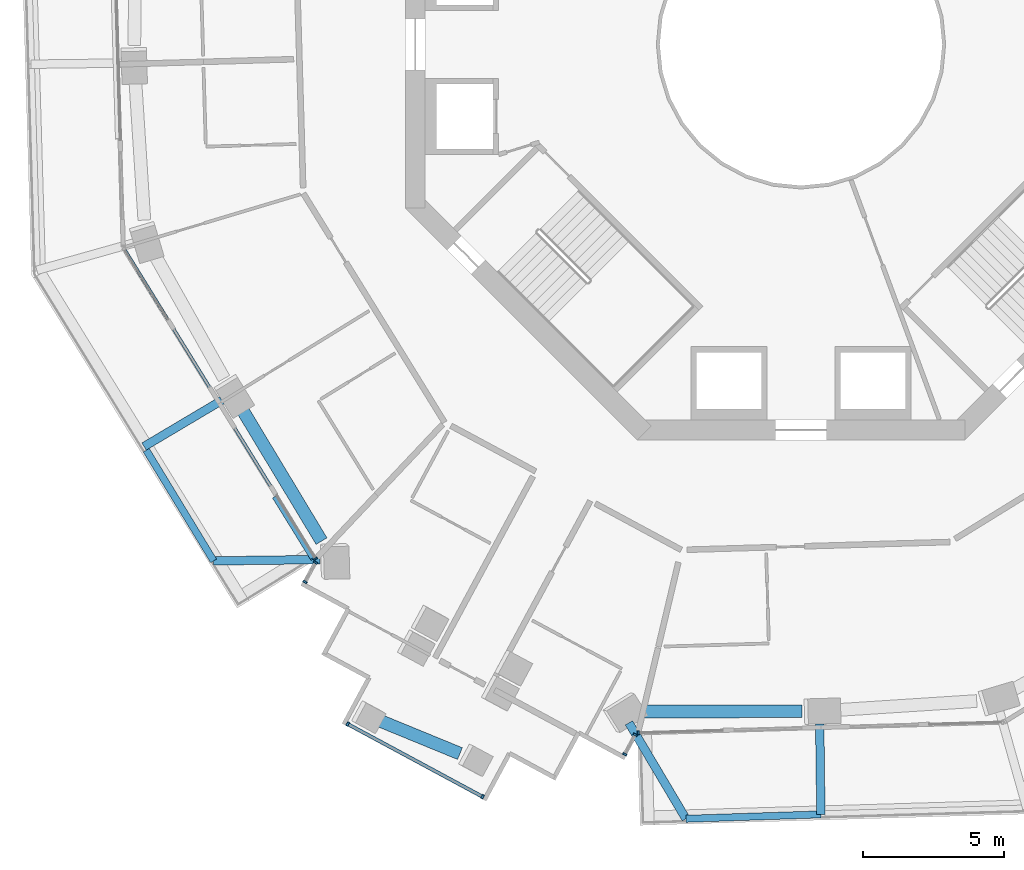
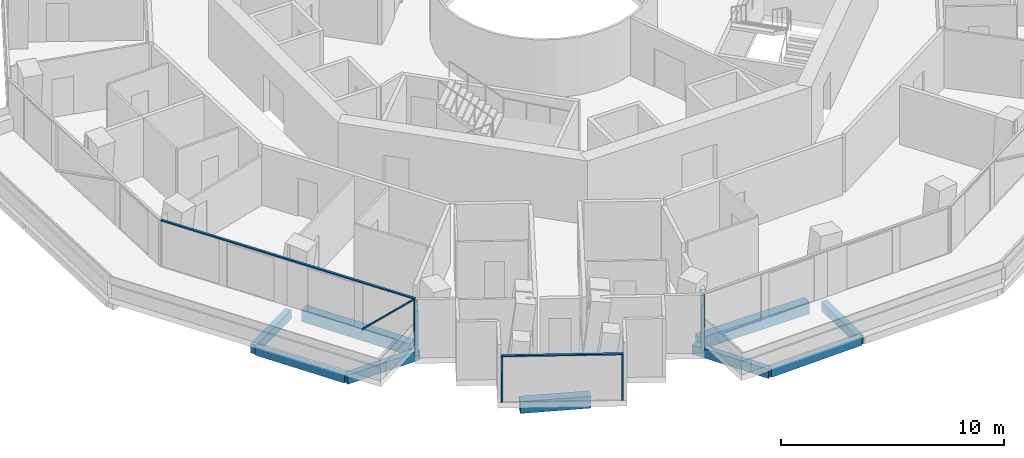
# One storey, part 2 of 22: 11 members, 9 beams, 5 elements without a shape of their own.
"""IFC4 building model written with IfcOpenShell, lengths in metres."""

from ifc_helpers import new_model, si_unit, direction, frame, origin, origin_2d, place, context, subcontext, project, spatial, rectangle, extrude, material, layer, layer_set, material_profile, profile_set, type_object, element, aggregate, save


model = new_model("IFC4")

# Units and contexts
model_context = context("Model", 3, precision=1e-05, world=origin(), true_north=direction((0.0, 1.0)))
body_context = subcontext(model_context, "Body", "Model", "MODEL_VIEW")
ifc_project = project(units=[si_unit("LENGTHUNIT", "METRE"), si_unit("AREAUNIT", "SQUARE_METRE"), si_unit("VOLUMEUNIT", "CUBIC_METRE"), si_unit("PLANEANGLEUNIT", "RADIAN"), si_unit("MASSUNIT", "GRAM", prefix="KILO")], contexts=[model_context])

# Site, building, storey
site_placement = place(None, origin())
site = spatial("IfcSite", under=ifc_project, at=site_placement, CompositionType="ELEMENT")
building_placement = place(site_placement, origin())
building = spatial("IfcBuilding", under=site, at=building_placement, Name="Verdalira Terraces Hotel", CompositionType="ELEMENT")
storey_placement = place(building_placement, frame((0.0, 0.0, 162.0)))
storey = spatial("IfcBuildingStorey", under=building, at=storey_placement, Name="L39", CompositionType="ELEMENT", Elevation=162.0)

# Beams
ifc_material_1 = material(Name="Concrete C40", Category="concrete")
ifc_material_profile_1 = material_profile(ifc_material_1, rectangle(XDim=0.300049, YDim=0.5, at=origin_2d()), Name="RC 300X500")
ifc_profile_set_1 = profile_set([ifc_material_profile_1], Name="Concrete C40")
beam_type_1 = type_object("IfcBeamType", Name="Balcony cantilever beam RC 300X500 C40", PredefinedType="BEAM", material=ifc_profile_set_1)
beam_1_placement = place(storey_placement, frame((-20.495605, -12.598389, -0.560059), z_axis=(-0.859692513, -0.510811886, 0.0), x_axis=(0.510811886, -0.859692513, 0.0)))
element("IfcBeam", 1, at=beam_1_placement, inside=storey, type_object=beam_type_1, Name="Balcony cantilever beam R12-1", PredefinedType="BEAM", context=body_context, shape_type="SweptSolid", body=[
    extrude(rectangle(XDim=0.300049, YDim=0.5, at=origin_2d()), origin(), (0.0, 0.0, 1.0), 3.200928),
])
beam_2_placement = place(storey_placement, frame((-17.014404, -18.231934, -0.560059), z_axis=(-0.999921073, -0.012563775, 0.0), x_axis=(0.012563775, -0.999921073, 0.0)))
element("IfcBeam", 2, at=beam_2_placement, inside=storey, type_object=beam_type_1, Name="Balcony cantilever beam R12-2", PredefinedType="BEAM", context=body_context, shape_type="SweptSolid", body=[
    extrude(rectangle(XDim=0.300049, YDim=0.5, at=origin_2d()), origin(), (0.0, 0.0, 1.0), 3.769775),
])
beam_3_placement = place(storey_placement, frame((-6.088379, -24.01001, -0.560059), z_axis=(0.510864328, -0.859661351, 0.0), x_axis=(0.859661351, 0.510864328, 0.0)))
element("IfcBeam", 3, at=beam_3_placement, inside=storey, type_object=beam_type_1, Name="Balcony cantilever beam R25-1", PredefinedType="BEAM", context=body_context, shape_type="SweptSolid", body=[
    extrude(rectangle(XDim=0.300049, YDim=0.5, at=origin_2d()), origin(), (0.0, 0.0, 1.0), 3.949707),
])
beam_4_placement = place(storey_placement, frame((0.662842, -24.048828, -0.560059), z_axis=(0.012508556, -0.999921765, 0.0), x_axis=(0.999921765, 0.012508556, 0.0)))
element("IfcBeam", 4, at=beam_4_placement, inside=storey, type_object=beam_type_1, Name="Balcony cantilever beam R25-2", PredefinedType="BEAM", context=body_context, shape_type="SweptSolid", body=[
    extrude(rectangle(XDim=0.300049, YDim=0.5, at=origin_2d()), origin(), (0.0, 0.0, 1.0), 3.200928),
])
ifc_material_2 = material(Name="Concrete C40", Category="concrete")
ifc_material_profile_2 = material_profile(ifc_material_2, rectangle(XDim=0.25, YDim=0.449951, at=origin_2d()), Name="RC 250X450")
ifc_profile_set_2 = profile_set([ifc_material_profile_2], Name="Concrete C40")
beam_type_2 = type_object("IfcBeamType", Name="Balcony edge beam RC 250X450 C40", PredefinedType="BEAM", material=ifc_profile_set_2)
beam_5_placement = place(storey_placement, frame((-23.169189, -14.361816, -0.534912), z_axis=(0.520058395, -0.854130707, 0.0), x_axis=(0.854130707, 0.520058395, 0.0)))
element("IfcBeam", 5, at=beam_5_placement, inside=storey, type_object=beam_type_2, Name="Balcony edge beam R12-1", PredefinedType="BEAM", context=body_context, shape_type="SweptSolid", body=[
    extrude(rectangle(XDim=0.25, YDim=0.449951, at=origin_2d()), origin(), (0.0, 0.0, 1.0), 4.586426),
])
beam_6_placement = place(storey_placement, frame((-4.070557, -27.405518, -0.534912), z_axis=(0.999466368, 0.032664638, 0.0), x_axis=(-0.032664638, 0.999466368, 0.0)))
element("IfcBeam", 6, at=beam_6_placement, inside=storey, type_object=beam_type_2, Name="Balcony edge beam R25-1", PredefinedType="BEAM", context=body_context, shape_type="SweptSolid", body=[
    extrude(rectangle(XDim=0.25, YDim=0.449951, at=origin_2d()), origin(), (0.0, 0.0, 1.0), 4.775879),
])

# Curtain wall, member
ifc_material_3 = material(Name="Clear glass", Category="glass")
ifc_layer_1 = layer(ifc_material_3, 0.14990234375)
ifc_layer_set_1 = layer_set([ifc_layer_1], Name="CW1 curtain wall")
curtain_wall_type_1 = type_object("IfcCurtainWallType", Name="CW1 curtain wall", PredefinedType="NOTDEFINED", material=ifc_layer_set_1)
curtain_wall_1_placement = place(storey_placement, origin())
curtain_wall_1 = element("IfcCurtainWall", 7, at=curtain_wall_1_placement, inside=storey, type_object=curtain_wall_type_1, Name="CW1 curtain wall L39 edge 13", PredefinedType="NOTDEFINED")
ifc_material_4 = material(Name="Terracotta frame", Category="masonry")
ifc_material_profile_3 = material_profile(ifc_material_4, rectangle(XDim=0.060059, YDim=0.149902, at=origin_2d()), Name="MU 60x150")
ifc_profile_set_3 = profile_set([ifc_material_profile_3], Name="Terracotta frame")
member_type_1 = type_object("IfcMemberType", Name="CW1 mullion 60x150", PredefinedType="MULLION", material=ifc_profile_set_3)
member_1_placement = place(storey_placement, frame((-17.181885, -18.206299, 0.0), z_axis=(0.0, 0.0, 1.0), x_axis=(0.52517463, -0.850994482, 0.0)))
member_1 = element("IfcMember", 8, at=member_1_placement, type_object=member_type_1, Name="CW1 mullion", PredefinedType="MULLION", context=body_context, shape_type="SweptSolid", body=[
    extrude(rectangle(XDim=0.060059, YDim=0.149902, at=origin_2d()), origin(), (0.0, 0.0, 1.0), 2.475098),
])

curtain_wall_2_placement = place(storey_placement, origin())
curtain_wall_2 = element("IfcCurtainWall", 9, at=curtain_wall_2_placement, inside=storey, type_object=curtain_wall_type_1, Name="CW1 curtain wall L39 edge 25", PredefinedType="NOTDEFINED")
member_2_placement = place(storey_placement, frame((-5.758301, -24.362549, 0.0), z_axis=(0.0, 0.0, 1.0), x_axis=(0.999570155, 0.02931733, 0.0)))
member_2 = element("IfcMember", 10, at=member_2_placement, type_object=member_type_1, Name="CW1 mullion", PredefinedType="MULLION", context=body_context, shape_type="SweptSolid", body=[
    extrude(rectangle(XDim=0.060059, YDim=0.149902, at=origin_2d()), origin(), (0.0, 0.0, 1.0), 2.475098),
])
aggregate(curtain_wall_2, [member_2])

# Member
ifc_material_5 = material(Name="Terracotta frame", Category="masonry")
ifc_material_profile_4 = material_profile(ifc_material_5, rectangle(XDim=0.110107, YDim=0.064941, at=origin_2d()), Name="TR 65x110")
ifc_profile_set_4 = profile_set([ifc_material_profile_4], Name="Terracotta frame")
member_type_2 = type_object("IfcMemberType", Name="CW1 transom 65x110", PredefinedType="USERDEFINED", material=ifc_profile_set_4)
member_3_placement = place(storey_placement, frame((-23.972412, -7.203125, 2.507568), z_axis=(0.52517119, -0.850996605, 0.0), x_axis=(0.850996605, 0.52517119, 0.0)))
member_3 = element("IfcMember", 11, at=member_3_placement, type_object=member_type_2, Name="CW1 transom", ObjectType="TRANSOM", PredefinedType="USERDEFINED", context=body_context, shape_type="SweptSolid", body=[
    extrude(rectangle(XDim=0.110107, YDim=0.064941, at=origin_2d()), origin(), (0.0, 0.0, 1.0), 12.959961),
])

# Curtain wall, members
ifc_material_6 = material(Name="Clear glass", Category="glass")
ifc_layer_2 = layer(ifc_material_6, 0.14990234375)
ifc_layer_set_2 = layer_set([ifc_layer_2], Name="CW2 curtain wall")
curtain_wall_type_2 = type_object("IfcCurtainWallType", Name="CW2 curtain wall", PredefinedType="NOTDEFINED", material=ifc_layer_set_2)
curtain_wall_3_placement = place(storey_placement, origin())
curtain_wall_3 = element("IfcCurtainWall", 12, at=curtain_wall_3_placement, inside=storey, type_object=curtain_wall_type_2, Name="CW2 curtain wall L39 edge 14", PredefinedType="NOTDEFINED")
ifc_material_7 = material(Name="Terracotta frame", Category="masonry")
ifc_material_profile_5 = material_profile(ifc_material_7, rectangle(XDim=0.070068, YDim=0.149902, at=origin_2d()), Name="MU 70x150")
ifc_profile_set_5 = profile_set([ifc_material_profile_5], Name="Terracotta frame")
member_type_3 = type_object("IfcMemberType", Name="CW2 mullion 70x150", PredefinedType="MULLION", material=ifc_profile_set_5)
member_4_placement = place(storey_placement, frame((-17.180664, -18.337646, 0.0), z_axis=(0.0, 0.0, 1.0), x_axis=(-0.474395525, -0.880311812, 0.0)))
member_4 = element("IfcMember", 13, at=member_4_placement, type_object=member_type_3, Name="CW2 mullion", PredefinedType="MULLION", context=body_context, shape_type="SweptSolid", body=[
    extrude(rectangle(XDim=0.070068, YDim=0.149902, at=origin_2d()), origin(), (0.0, 0.0, 1.0), 2.475098),
])
member_5_placement = place(storey_placement, frame((-17.550781, -19.024414, 0.0), z_axis=(0.0, 0.0, 1.0), x_axis=(-0.474395525, -0.880311812, 0.0)))
member_5 = element("IfcMember", 14, at=member_5_placement, type_object=member_type_3, Name="CW2 mullion", PredefinedType="MULLION", context=body_context, shape_type="SweptSolid", body=[
    extrude(rectangle(XDim=0.070068, YDim=0.149902, at=origin_2d()), origin(), (0.0, 0.0, 1.0), 2.475098),
])
aggregate(curtain_wall_3, [member_4, member_5])

curtain_wall_4_placement = place(storey_placement, origin())
curtain_wall_4 = element("IfcCurtainWall", 15, at=curtain_wall_4_placement, inside=storey, type_object=curtain_wall_type_2, Name="CW2 curtain wall L39 edge 24", PredefinedType="NOTDEFINED")
member_6_placement = place(storey_placement, frame((-6.23877, -25.120361, 0.0), z_axis=(0.0, 0.0, 1.0), x_axis=(0.474395525, 0.880311812, 0.0)))
member_6 = element("IfcMember", 16, at=member_6_placement, type_object=member_type_3, Name="CW2 mullion", PredefinedType="MULLION", context=body_context, shape_type="SweptSolid", body=[
    extrude(rectangle(XDim=0.070068, YDim=0.149902, at=origin_2d()), origin(), (0.0, 0.0, 1.0), 2.475098),
])
member_7_placement = place(storey_placement, frame((-5.868652, -24.433594, 0.0), z_axis=(0.0, 0.0, 1.0), x_axis=(0.474395525, 0.880311812, 0.0)))
member_7 = element("IfcMember", 17, at=member_7_placement, type_object=member_type_3, Name="CW2 mullion", PredefinedType="MULLION", context=body_context, shape_type="SweptSolid", body=[
    extrude(rectangle(XDim=0.070068, YDim=0.149902, at=origin_2d()), origin(), (0.0, 0.0, 1.0), 2.475098),
])
aggregate(curtain_wall_4, [member_6, member_7])

ifc_material_8 = material(Name="Clear glass", Category="glass")
ifc_layer_3 = layer(ifc_material_8, 0.14990234375)
ifc_layer_set_3 = layer_set([ifc_layer_3], Name="CW3 curtain wall")
curtain_wall_type_3 = type_object("IfcCurtainWallType", Name="CW3 curtain wall", PredefinedType="NOTDEFINED", material=ifc_layer_set_3)
curtain_wall_5_placement = place(storey_placement, origin())
curtain_wall_5 = element("IfcCurtainWall", 18, at=curtain_wall_5_placement, inside=storey, type_object=curtain_wall_type_3, Name="CW3 curtain wall L39 edge 19", PredefinedType="NOTDEFINED")
ifc_material_9 = material(Name="Terracotta frame", Category="masonry")
ifc_material_profile_6 = material_profile(ifc_material_9, rectangle(XDim=0.080078, YDim=0.149902, at=origin_2d()), Name="MU 80x150")
ifc_profile_set_6 = profile_set([ifc_material_profile_6], Name="Terracotta frame")
member_type_4 = type_object("IfcMemberType", Name="CW3 mullion 80x150", PredefinedType="MULLION", material=ifc_profile_set_6)
member_8_placement = place(storey_placement, frame((-16.040283, -24.052734, 0.0), z_axis=(0.0, 0.0, 1.0), x_axis=(0.880311812, -0.474395525, 0.0)))
member_8 = element("IfcMember", 19, at=member_8_placement, type_object=member_type_4, Name="CW3 mullion", PredefinedType="MULLION", context=body_context, shape_type="SweptSolid", body=[
    extrude(rectangle(XDim=0.080078, YDim=0.149902, at=origin_2d()), origin(), (0.0, 0.0, 1.0), 2.475098),
])
member_9_placement = place(storey_placement, frame((-11.269043, -26.624023, 0.0), z_axis=(0.0, 0.0, 1.0), x_axis=(0.880311812, -0.474395525, 0.0)))
member_9 = element("IfcMember", 20, at=member_9_placement, type_object=member_type_4, Name="CW3 mullion", PredefinedType="MULLION", context=body_context, shape_type="SweptSolid", body=[
    extrude(rectangle(XDim=0.080078, YDim=0.149902, at=origin_2d()), origin(), (0.0, 0.0, 1.0), 2.475098),
])
ifc_material_10 = material(Name="Terracotta frame", Category="masonry")
ifc_material_profile_7 = material_profile(ifc_material_10, rectangle(XDim=0.120117, YDim=0.064941, at=origin_2d()), Name="TR 65x120")
ifc_profile_set_7 = profile_set([ifc_material_profile_7], Name="Terracotta frame")
member_type_5 = type_object("IfcMemberType", Name="CW3 transom 65x120", PredefinedType="USERDEFINED", material=ifc_profile_set_7)
member_10_placement = place(storey_placement, frame((-16.075439, -24.033691, 2.507568), z_axis=(0.880308554, -0.474401569, 0.0), x_axis=(0.474401569, 0.880308554, 0.0)))
member_10 = element("IfcMember", 21, at=member_10_placement, type_object=member_type_5, Name="CW3 transom", ObjectType="TRANSOM", PredefinedType="USERDEFINED", context=body_context, shape_type="SweptSolid", body=[
    extrude(rectangle(XDim=0.120117, YDim=0.064941, at=origin_2d()), origin(), (0.0, 0.0, 1.0), 5.499756),
])
aggregate(curtain_wall_5, [member_8, member_9, member_10])

# Member
ifc_material_11 = material(Name="Terracotta frame", Category="masonry")
ifc_material_profile_8 = material_profile(ifc_material_11, rectangle(XDim=0.149902, YDim=0.060059, at=origin_2d()), Name="GB 60x150")
ifc_profile_set_8 = profile_set([ifc_material_profile_8], Name="Terracotta frame")
member_type_6 = type_object("IfcMemberType", Name="Diagonal glazing bar 60x150", PredefinedType="USERDEFINED", material=ifc_profile_set_8)
member_11_placement = place(storey_placement, frame((-18.628418, -16.031982, 0.023193), z_axis=(0.380661714, -0.616870028, 0.688888981), x_axis=(0.851011486, 0.525147075, 0.0)))
member_11 = element("IfcMember", 22, at=member_11_placement, type_object=member_type_6, Name="Diagonal glazing bar", ObjectType="GLAZING BAR", PredefinedType="USERDEFINED", context=body_context, shape_type="SweptSolid", body=[
    extrude(rectangle(XDim=0.149902, YDim=0.060059, at=origin_2d()), origin(), (0.0, 0.0, 1.0), 3.525635),
])

aggregate(curtain_wall_1, [member_1, member_3, member_11])

# Beams
ifc_material_12 = material(Name="Concrete C50", Category="concrete")
ifc_material_profile_9 = material_profile(ifc_material_12, rectangle(XDim=0.449951, YDim=0.649902, at=origin_2d()), Name="RC 450X650")
ifc_profile_set_9 = profile_set([ifc_material_profile_9], Name="Concrete C50")
beam_type_3 = type_object("IfcBeamType", Name="Spandrel beam RC 450X650 C50", PredefinedType="SPANDREL", material=ifc_profile_set_9)
beam_7_placement = place(storey_placement, frame((-19.829346, -12.832031, -0.63501), z_axis=(0.516339939, -0.856383715, 0.0), x_axis=(0.856383715, 0.516339939, 0.0)))
element("IfcBeam", 23, at=beam_7_placement, inside=storey, type_object=beam_type_3, Name="Spandrel beam B07", PredefinedType="SPANDREL", context=body_context, shape_type="SweptSolid", body=[
    extrude(rectangle(XDim=0.449951, YDim=0.649902, at=origin_2d()), origin(), (0.0, 0.0, 1.0), 5.544922),
])
beam_8_placement = place(storey_placement, frame((-15.022217, -23.886719, -0.63501), z_axis=(0.925176192, -0.379537894, 0.0), x_axis=(0.379537894, 0.925176192, 0.0)))
element("IfcBeam", 24, at=beam_8_placement, inside=storey, type_object=beam_type_3, Name="Spandrel beam B08", PredefinedType="SPANDREL", context=body_context, shape_type="SweptSolid", body=[
    extrude(rectangle(XDim=0.449951, YDim=0.649902, at=origin_2d()), origin(), (0.0, 0.0, 1.0), 3.192383),
])
beam_9_placement = place(storey_placement, frame((-5.630859, -23.611572, -0.63501), z_axis=(0.999998206, 0.001894099, 0.0), x_axis=(-0.001894099, 0.999998206, 0.0)))
element("IfcBeam", 25, at=beam_9_placement, inside=storey, type_object=beam_type_3, Name="Spandrel beam B09", PredefinedType="SPANDREL", context=body_context, shape_type="SweptSolid", body=[
    extrude(rectangle(XDim=0.449951, YDim=0.649902, at=origin_2d()), origin(), (0.0, 0.0, 1.0), 5.671387),
])

save(model, "model.ifc")
